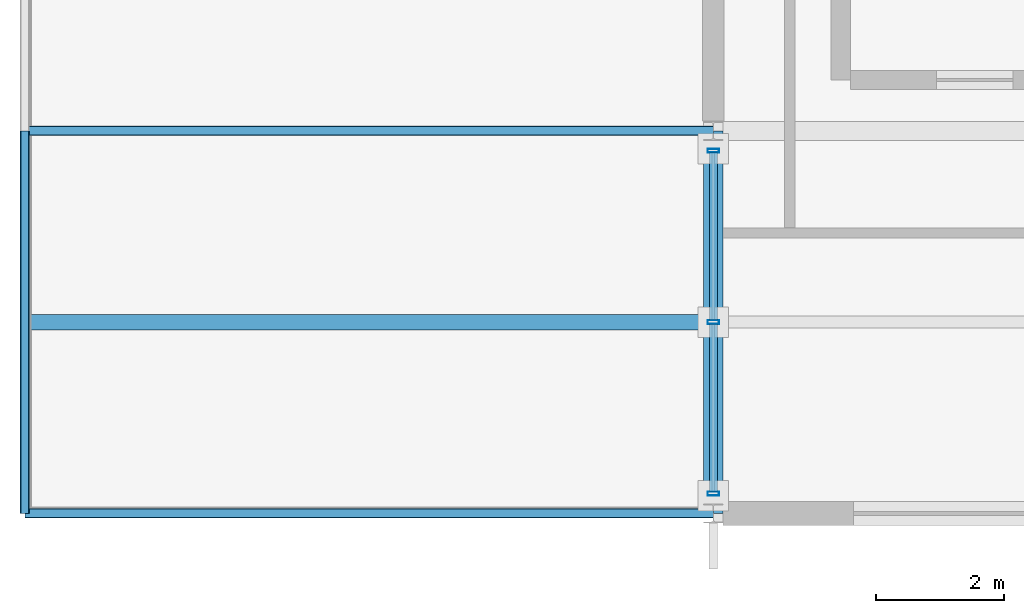
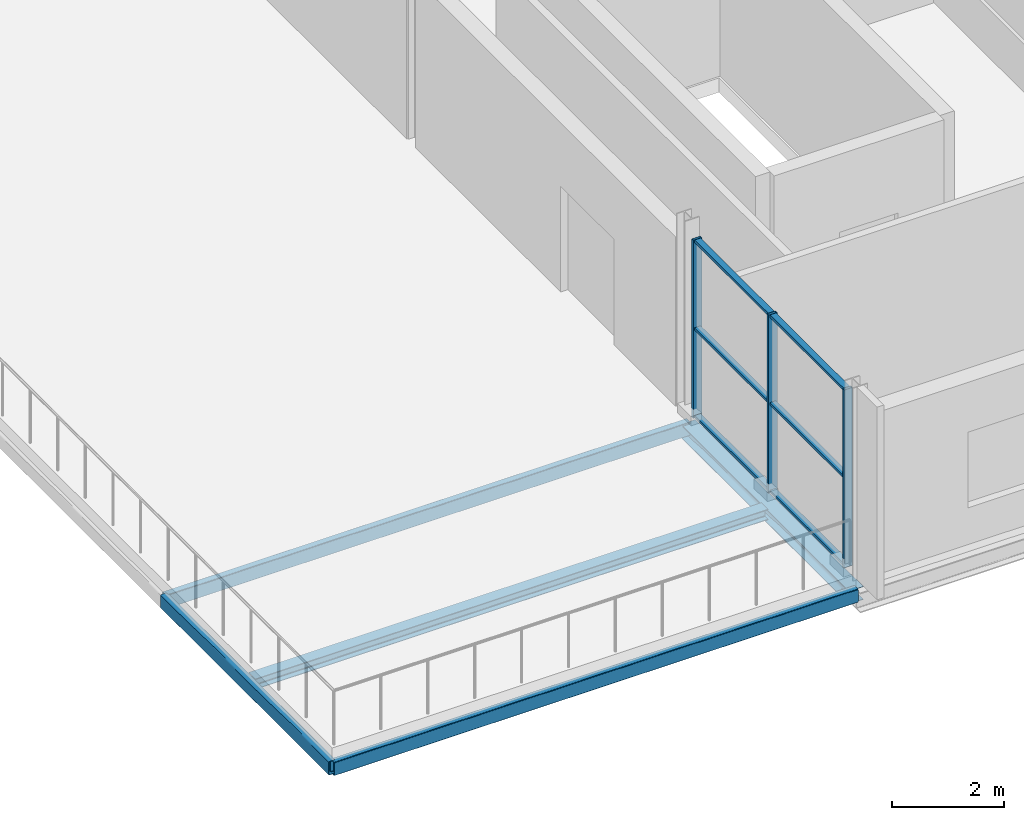
# One storey, part 3 of 13: 9 members, 5 beams, 1 element without a shape of its own.
"""IFC4 building model written with IfcOpenShell, lengths in metres."""

from ifc_helpers import new_model, si_unit, direction, frame, origin, origin_2d, place, context, subcontext, project, spatial, hollow_rectangle, i_section, extrude, material, material_profile, profile_set, type_object, element, aggregate, save


model = new_model("IFC4")

# Units and contexts
model_context = context("Model", 3, precision=1e-05, world=origin(), true_north=direction((0.0, 1.0)))
body_context = subcontext(model_context, "Body", "Model", "MODEL_VIEW")
ifc_project = project(units=[si_unit("LENGTHUNIT", "METRE"), si_unit("AREAUNIT", "SQUARE_METRE"), si_unit("VOLUMEUNIT", "CUBIC_METRE"), si_unit("PLANEANGLEUNIT", "RADIAN"), si_unit("MASSUNIT", "GRAM", prefix="KILO")], contexts=[model_context])

# Site, building, storey
site_placement = place(None, origin())
site = spatial("IfcSite", under=ifc_project, at=site_placement, CompositionType="ELEMENT")
building_placement = place(site_placement, origin())
building = spatial("IfcBuilding", under=site, at=building_placement, Name="Merenkruunu Market Hall", CompositionType="ELEMENT")
storey_placement = place(building_placement, frame((0.0, 0.0, 14.39990234375)))
storey = spatial("IfcBuildingStorey", under=building, at=storey_placement, Name="L03", CompositionType="ELEMENT", Elevation=14.39990234375)

# Curtain wall, members
ifc_material_1 = material(Name="Powder-coated aluminium", Category="aluminium")
curtain_wall_type = type_object("IfcCurtainWallType", Name="Glazed Curtain Wall CW14", PredefinedType="USERDEFINED", material=ifc_material_1)
curtain_wall_placement = place(storey_placement, origin())
curtain_wall = element("IfcCurtainWall", 1, at=curtain_wall_placement, inside=storey, type_object=curtain_wall_type, Name="CW-L03-CWM02-222", ObjectType="GLAZED_FACADE", PredefinedType="USERDEFINED")
ifc_material_profile_1 = material_profile(ifc_material_1, hollow_rectangle(XDim=0.06005859375, YDim=0.179931640625, WallThickness=0.00390625, at=origin_2d()), Name="ALU 60x180x4")
ifc_profile_set_1 = profile_set([ifc_material_profile_1], Name="Powder-coated aluminium")
member_type_1 = type_object("IfcMemberType", Name="Curtain Wall Mullion CWM02", PredefinedType="MULLION", material=ifc_profile_set_1)
member_1_placement = place(storey_placement, frame((159.60009765625, 0.31005859375, 0.0), z_axis=(0.0, 0.0, 1.0), x_axis=(0.0, 1.0, 0.0)))
member_1 = element("IfcMember", 2, at=member_1_placement, type_object=member_type_1, Name="CW14 mullion 1", PredefinedType="MULLION", context=body_context, shape_type="SweptSolid", body=[
    extrude(hollow_rectangle(XDim=0.06005859375, YDim=0.179931640625, WallThickness=0.00390625, at=origin_2d()), origin(), (0.0, 0.0, 1.0), 3.880126953125),
])
member_2_placement = place(storey_placement, frame((159.60009765625, 3.0, 0.0), z_axis=(0.0, 0.0, 1.0), x_axis=(0.0, 1.0, 0.0)))
member_2 = element("IfcMember", 3, at=member_2_placement, type_object=member_type_1, Name="CW14 mullion 2", PredefinedType="MULLION", context=body_context, shape_type="SweptSolid", body=[
    extrude(hollow_rectangle(XDim=0.06005859375, YDim=0.179931640625, WallThickness=0.00390625, at=origin_2d()), origin(), (0.0, 0.0, 1.0), 3.880126953125),
])
member_3_placement = place(storey_placement, frame((159.60009765625, 5.68994140625, 0.0), z_axis=(0.0, 0.0, 1.0), x_axis=(0.0, 1.0, 0.0)))
member_3 = element("IfcMember", 4, at=member_3_placement, type_object=member_type_1, Name="CW14 mullion 3", PredefinedType="MULLION", context=body_context, shape_type="SweptSolid", body=[
    extrude(hollow_rectangle(XDim=0.06005859375, YDim=0.179931640625, WallThickness=0.00390625, at=origin_2d()), origin(), (0.0, 0.0, 1.0), 3.880126953125),
])
ifc_material_profile_2 = material_profile(ifc_material_1, hollow_rectangle(XDim=0.06005859375, YDim=0.125, WallThickness=0.00390625, at=origin_2d()), Name="ALU 60x125x4")
ifc_profile_set_2 = profile_set([ifc_material_profile_2], Name="Powder-coated aluminium")
member_type_2 = type_object("IfcMemberType", Name="Curtain Wall Transom CWT01", PredefinedType="USERDEFINED", material=ifc_profile_set_2)
member_4_placement = place(storey_placement, frame((159.60009765625, 0.340087890625, 0.030029296875), z_axis=(0.0, 1.0, 0.0), x_axis=(0.0, 0.0, 1.0)))
member_4 = element("IfcMember", 5, at=member_4_placement, type_object=member_type_2, Name="CW14 transom 1.1", ObjectType="TRANSOM", PredefinedType="USERDEFINED", context=body_context, shape_type="SweptSolid", body=[
    extrude(hollow_rectangle(XDim=0.06005859375, YDim=0.125, WallThickness=0.00390625, at=origin_2d()), origin(), (0.0, 0.0, 1.0), 2.6298828125),
])
member_5_placement = place(storey_placement, frame((159.60009765625, 0.340087890625, 1.940185546875), z_axis=(0.0, 1.0, 0.0), x_axis=(0.0, 0.0, 1.0)))
member_5 = element("IfcMember", 6, at=member_5_placement, type_object=member_type_2, Name="CW14 transom 1.2", ObjectType="TRANSOM", PredefinedType="USERDEFINED", context=body_context, shape_type="SweptSolid", body=[
    extrude(hollow_rectangle(XDim=0.06005859375, YDim=0.125, WallThickness=0.00390625, at=origin_2d()), origin(), (0.0, 0.0, 1.0), 2.6298828125),
])
member_6_placement = place(storey_placement, frame((159.60009765625, 0.340087890625, 3.85009765625), z_axis=(0.0, 1.0, 0.0), x_axis=(0.0, 0.0, 1.0)))
member_6 = element("IfcMember", 7, at=member_6_placement, type_object=member_type_2, Name="CW14 transom 1.3", ObjectType="TRANSOM", PredefinedType="USERDEFINED", context=body_context, shape_type="SweptSolid", body=[
    extrude(hollow_rectangle(XDim=0.06005859375, YDim=0.125, WallThickness=0.00390625, at=origin_2d()), origin(), (0.0, 0.0, 1.0), 2.6298828125),
])
member_7_placement = place(storey_placement, frame((159.60009765625, 3.030029296875, 0.030029296875), z_axis=(0.0, 1.0, 0.0), x_axis=(0.0, 0.0, 1.0)))
member_7 = element("IfcMember", 8, at=member_7_placement, type_object=member_type_2, Name="CW14 transom 2.1", ObjectType="TRANSOM", PredefinedType="USERDEFINED", context=body_context, shape_type="SweptSolid", body=[
    extrude(hollow_rectangle(XDim=0.06005859375, YDim=0.125, WallThickness=0.00390625, at=origin_2d()), origin(), (0.0, 0.0, 1.0), 2.6298828125),
])
member_8_placement = place(storey_placement, frame((159.60009765625, 3.030029296875, 1.940185546875), z_axis=(0.0, 1.0, 0.0), x_axis=(0.0, 0.0, 1.0)))
member_8 = element("IfcMember", 9, at=member_8_placement, type_object=member_type_2, Name="CW14 transom 2.2", ObjectType="TRANSOM", PredefinedType="USERDEFINED", context=body_context, shape_type="SweptSolid", body=[
    extrude(hollow_rectangle(XDim=0.06005859375, YDim=0.125, WallThickness=0.00390625, at=origin_2d()), origin(), (0.0, 0.0, 1.0), 2.6298828125),
])
member_9_placement = place(storey_placement, frame((159.60009765625, 3.030029296875, 3.85009765625), z_axis=(0.0, 1.0, 0.0), x_axis=(0.0, 0.0, 1.0)))
member_9 = element("IfcMember", 10, at=member_9_placement, type_object=member_type_2, Name="CW14 transom 2.3", ObjectType="TRANSOM", PredefinedType="USERDEFINED", context=body_context, shape_type="SweptSolid", body=[
    extrude(hollow_rectangle(XDim=0.06005859375, YDim=0.125, WallThickness=0.00390625, at=origin_2d()), origin(), (0.0, 0.0, 1.0), 2.6298828125),
])
aggregate(curtain_wall, [member_1, member_2, member_3, member_4, member_5, member_6, member_7, member_8, member_9])

# Beams
ifc_material_2 = material(Name="Steel S355J2", Category="steel")
ifc_material_profile_3 = material_profile(ifc_material_2, hollow_rectangle(XDim=0.14990234375, YDim=0.300048828125, WallThickness=0.012451171875, InnerFilletRadius=0.012451171875, OuterFilletRadius=0.02490234375, at=origin_2d()), Name="RHS 300x150x12.5")
ifc_profile_set_3 = profile_set([ifc_material_profile_3], Name="Steel S355J2")
beam_type_1 = type_object("IfcBeamType", Name="Perimeter Spandrel Beam SP03", PredefinedType="SPANDREL", material=ifc_profile_set_3)
for number, where, z_axis, x_axis, name in (
    (11, (148.800048828125, 0.0, -0.419921875), (1.0, 0.0, 0.0), (0.0, 1.0, 0.0), "BM-L03-SP03-0855"),
    (12, (148.800048828125, 6.0, -0.419921875), (1.0, 0.0, 0.0), (0.0, 1.0, 0.0), "BM-L03-SP03-0859"),
):
    element("IfcBeam", number, at=place(storey_placement, frame(where, z_axis=z_axis, x_axis=x_axis)), inside=storey, type_object=beam_type_1, Name=name, PredefinedType="SPANDREL", context=body_context, shape_type="SweptSolid", body=[
        extrude(hollow_rectangle(XDim=0.14990234375, YDim=0.300048828125, WallThickness=0.012451171875, InnerFilletRadius=0.012451171875, OuterFilletRadius=0.02490234375, at=origin_2d()), origin(), (0.0, 0.0, 1.0), 10.800048828125),
    ])
beam_1_placement = place(storey_placement, frame((148.800048828125, 0.0, -0.419921875), z_axis=(0.0, 1.0, 0.0), x_axis=(-1.0, 0.0, 0.0)))
element("IfcBeam", 13, at=beam_1_placement, inside=storey, type_object=beam_type_1, Name="BM-L03-SP03-0875", PredefinedType="SPANDREL", context=body_context, shape_type="SweptSolid", body=[
    extrude(hollow_rectangle(XDim=0.14990234375, YDim=0.300048828125, WallThickness=0.012451171875, InnerFilletRadius=0.012451171875, OuterFilletRadius=0.02490234375, at=origin_2d()), origin(), (0.0, 0.0, 1.0), 6.0),
])
ifc_material_profile_4 = material_profile(ifc_material_2, i_section(OverallWidth=0.300048828125, OverallDepth=0.2900390625, WebThickness=0.008544921875, FlangeThickness=0.013916015625, FilletRadius=0.027099609375, at=origin_2d()), Name="HEA 300")
ifc_profile_set_4 = profile_set([ifc_material_profile_4], Name="Steel S355J2")
beam_type_2 = type_object("IfcBeamType", Name="Primary Floor Girder B09", PredefinedType="BEAM", material=ifc_profile_set_4)
beam_2_placement = place(storey_placement, frame((159.60009765625, 0.0, -0.454833984375), z_axis=(0.0, 1.0, 0.0), x_axis=(-1.0, 0.0, 0.0)))
element("IfcBeam", 14, at=beam_2_placement, inside=storey, type_object=beam_type_2, Name="BM-L03-B09-0879", PredefinedType="BEAM", context=body_context, shape_type="SweptSolid", body=[
    extrude(i_section(OverallWidth=0.300048828125, OverallDepth=0.2900390625, WebThickness=0.008544921875, FlangeThickness=0.013916015625, FilletRadius=0.027099609375, at=origin_2d()), origin(), (0.0, 0.0, 1.0), 6.0),
])
ifc_material_profile_5 = material_profile(ifc_material_2, i_section(OverallWidth=0.239990234375, OverallDepth=0.22998046875, WebThickness=0.007568359375, FlangeThickness=0.011962890625, FilletRadius=0.02099609375, at=origin_2d()), Name="HEA 240")
ifc_profile_set_5 = profile_set([ifc_material_profile_5], Name="Steel S355J2")
beam_type_3 = type_object("IfcBeamType", Name="Secondary Floor Joist J06", PredefinedType="JOIST", material=ifc_profile_set_5)
beam_3_placement = place(storey_placement, frame((148.8779296875, 3.0, -0.385009765625), z_axis=(1.0, 0.0, 0.0), x_axis=(0.0, 1.0, 0.0)))
element("IfcBeam", 15, at=beam_3_placement, inside=storey, type_object=beam_type_3, Name="BM-L03-J06-0895", PredefinedType="JOIST", context=body_context, shape_type="SweptSolid", body=[
    extrude(i_section(OverallWidth=0.239990234375, OverallDepth=0.22998046875, WebThickness=0.007568359375, FlangeThickness=0.011962890625, FilletRadius=0.02099609375, at=origin_2d()), origin(), (0.0, 0.0, 1.0), 10.569091796875),
])

save(model, "model.ifc")
